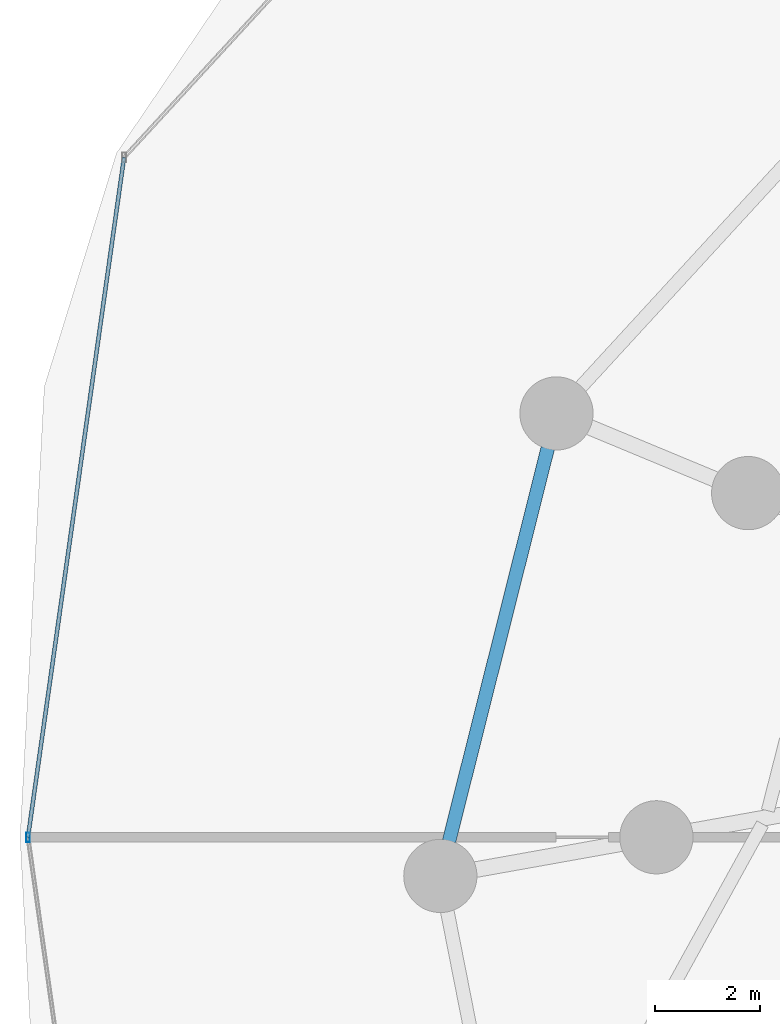
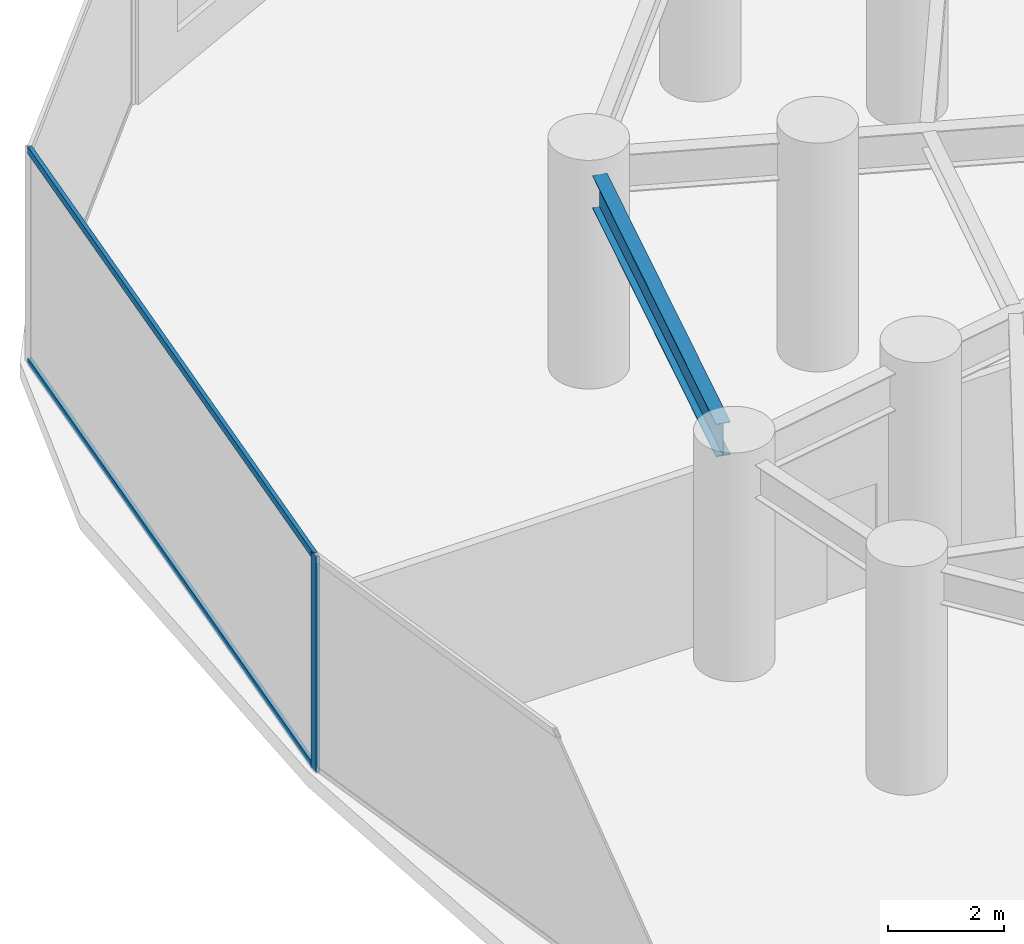
# One storey, part 7 of 30: 3 members, 1 beam, 1 element without a shape of its own.
"""IFC4 building model written with IfcOpenShell, lengths in metres."""

from ifc_helpers import new_model, si_unit, direction, frame, origin, origin_2d, place, context, subcontext, project, spatial, hollow_rectangle, i_section, extrude, material, material_profile, profile_set, type_object, element, aggregate, save


model = new_model("IFC4")

# Units and contexts
model_context = context("Model", 3, precision=1e-05, world=origin(), true_north=direction((0.0, 1.0)))
body_context = subcontext(model_context, "Body", "Model", "MODEL_VIEW")
ifc_project = project(units=[si_unit("LENGTHUNIT", "METRE"), si_unit("AREAUNIT", "SQUARE_METRE"), si_unit("VOLUMEUNIT", "CUBIC_METRE"), si_unit("PLANEANGLEUNIT", "RADIAN"), si_unit("MASSUNIT", "GRAM", prefix="KILO")], contexts=[model_context])

# Site, building, storey
site_placement = place(None, origin())
site = spatial("IfcSite", under=ifc_project, at=site_placement, CompositionType="ELEMENT")
building_placement = place(site_placement, origin())
building = spatial("IfcBuilding", under=site, at=building_placement, Name="Vorneva Point Tower", CompositionType="ELEMENT")
storey_placement = place(building_placement, frame((0.0, 0.0, 9.60009765625)))
storey = spatial("IfcBuildingStorey", under=building, at=storey_placement, Name="L02", CompositionType="ELEMENT", Elevation=9.60009765625)

# Beam
ifc_material_1 = material(Name="Steel S355", Category="steel")
ifc_material_profile_1 = material_profile(ifc_material_1, i_section(OverallWidth=0.260009765625, OverallDepth=0.69091796875, WebThickness=0.011962890625, FlangeThickness=0.015380859375, at=origin_2d()), Name="70B1")
ifc_profile_set_1 = profile_set([ifc_material_profile_1], Name="Steel S355")
beam_type = type_object("IfcBeamType", Name="BM-SPN-70B1", PredefinedType="SPANDREL", material=ifc_profile_set_1)
beam_placement = place(storey_placement, frame((12.872314453125, 33.44091796875, 4.134521484375), z_axis=(-0.243602969388, -0.969875040047, 0.0), x_axis=(0.969875040047, -0.243602969388, 0.0)))
element("IfcBeam", 1, at=beam_placement, inside=storey, type_object=beam_type, Name="L02 Perimeter Spandrel Ring Beam 08", PredefinedType="SPANDREL", context=body_context, shape_type="SweptSolid", body=[
    extrude(i_section(OverallWidth=0.260009765625, OverallDepth=0.69091796875, WebThickness=0.011962890625, FlangeThickness=0.015380859375, at=origin_2d()), origin(), (0.0, 0.0, 1.0), 7.7490234375),
])

# Curtain wall, members
ifc_material_2 = material(Name="Pale anodised aluminium", Category="aluminium")
curtain_wall_type = type_object("IfcCurtainWallType", Name="CW-POD-SYS", PredefinedType="NOTDEFINED", material=ifc_material_2)
curtain_wall_placement = place(storey_placement, origin())
curtain_wall = element("IfcCurtainWall", 2, at=curtain_wall_placement, inside=storey, type_object=curtain_wall_type, Name="L02 Unitised Curtain Wall CW-L02-R03", PredefinedType="NOTDEFINED")
ifc_material_profile_2 = material_profile(ifc_material_2, hollow_rectangle(XDim=0.074951171875, YDim=0.179931640625, WallThickness=0.00390625, at=origin_2d()), Name="AL-MUL 180x75x4")
ifc_profile_set_2 = profile_set([ifc_material_profile_2], Name="Pale anodised aluminium")
member_type_1 = type_object("IfcMemberType", Name="CW-MUL-180", PredefinedType="MULLION", material=ifc_profile_set_2)
member_1_placement = place(storey_placement, frame((2.931884765625, 26.0, -0.0400390625), z_axis=(0.0, 0.0, 1.0), x_axis=(1.0, 0.0, 0.0)))
member_1 = element("IfcMember", 3, at=member_1_placement, type_object=member_type_1, Name="CW-L02-R03 Mullion 03", PredefinedType="MULLION", context=body_context, shape_type="SweptSolid", body=[
    extrude(hollow_rectangle(XDim=0.074951171875, YDim=0.179931640625, WallThickness=0.00390625, at=origin_2d()), origin(), (0.0, 0.0, 1.0), 4.550048828125),
])
ifc_material_profile_3 = material_profile(ifc_material_2, hollow_rectangle(XDim=0.074951171875, YDim=0.14990234375, WallThickness=0.00390625, at=origin_2d()), Name="AL-TRN 150x75x4")
ifc_profile_set_3 = profile_set([ifc_material_profile_3], Name="Pale anodised aluminium")
member_type_2 = type_object("IfcMemberType", Name="CW-TRN-150", PredefinedType="USERDEFINED", material=ifc_profile_set_3)
member_2_placement = place(storey_placement, frame((4.769287109375, 39.001708984375, 0.02001953125), z_axis=(-0.139929678474, -0.990161443948, 0.0), x_axis=(0.990161443948, -0.139929678474, 0.0)))
member_2 = element("IfcMember", 4, at=member_2_placement, type_object=member_type_2, Name="CW-L02-R03 Transom 02.1", ObjectType="TRANSOM", PredefinedType="USERDEFINED", context=body_context, shape_type="SweptSolid", body=[
    extrude(hollow_rectangle(XDim=0.074951171875, YDim=0.14990234375, WallThickness=0.00390625, at=origin_2d()), origin(), (0.0, 0.0, 1.0), 13.130859375),
])
member_3_placement = place(storey_placement, frame((4.769287109375, 39.001708984375, 4.4599609375), z_axis=(-0.139929678474, -0.990161443948, 0.0), x_axis=(0.990161443948, -0.139929678474, 0.0)))
member_3 = element("IfcMember", 5, at=member_3_placement, type_object=member_type_2, Name="CW-L02-R03 Transom 02.2", ObjectType="TRANSOM", PredefinedType="USERDEFINED", context=body_context, shape_type="SweptSolid", body=[
    extrude(hollow_rectangle(XDim=0.074951171875, YDim=0.14990234375, WallThickness=0.00390625, at=origin_2d()), origin(), (0.0, 0.0, 1.0), 13.130859375),
])
aggregate(curtain_wall, [member_1, member_2, member_3])

save(model, "model.ifc")
